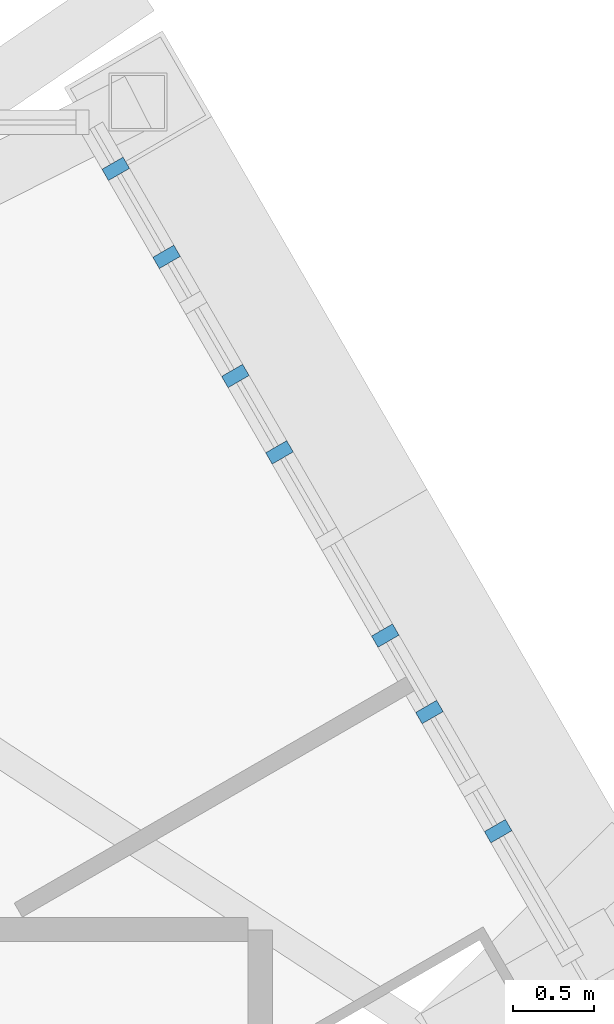
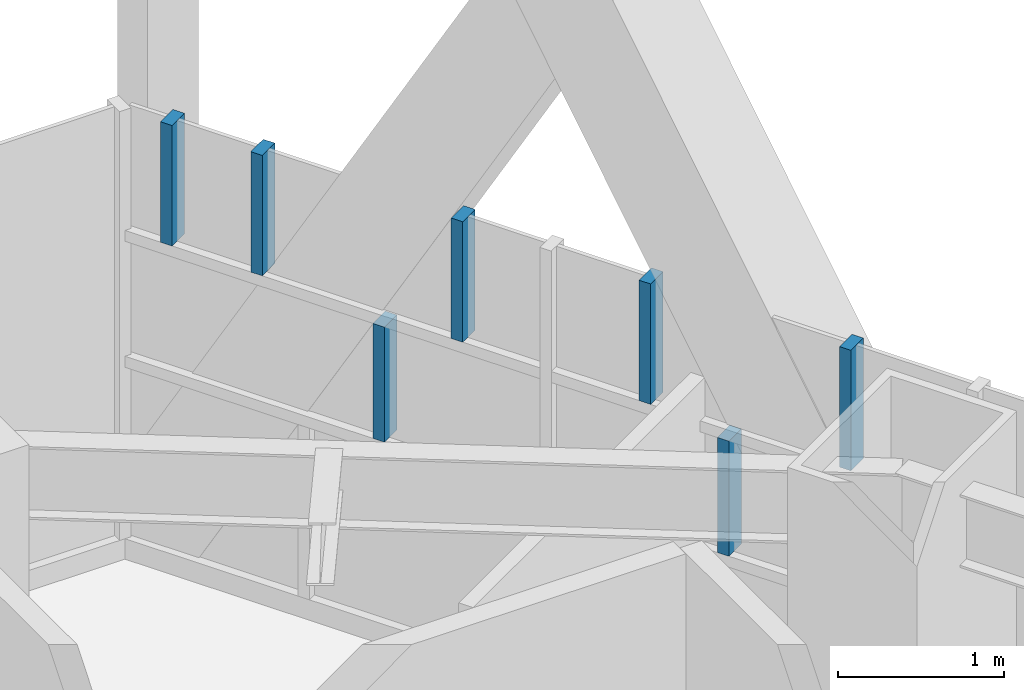
# One storey, part 11 of 23: 7 members, 1 element without a shape of its own.
"""IFC4 building model written with IfcOpenShell, lengths in metres."""

from ifc_helpers import new_model, si_unit, direction, frame, origin, origin_2d, place, context, subcontext, project, spatial, rectangle, extrude, material, layer, layer_set, material_profile, profile_set, type_object, element, aggregate, save


model = new_model("IFC4")

# Units and contexts
model_context = context("Model", 3, precision=1e-05, world=origin(), true_north=direction((0.0, 1.0)))
body_context = subcontext(model_context, "Body", "Model", "MODEL_VIEW")
ifc_project = project(units=[si_unit("LENGTHUNIT", "METRE"), si_unit("AREAUNIT", "SQUARE_METRE"), si_unit("VOLUMEUNIT", "CUBIC_METRE"), si_unit("PLANEANGLEUNIT", "RADIAN"), si_unit("MASSUNIT", "GRAM", prefix="KILO")], contexts=[model_context])

# Site, building, storey
site_placement = place(None, origin())
site = spatial("IfcSite", under=ifc_project, at=site_placement, CompositionType="ELEMENT")
building_placement = place(site_placement, origin())
building = spatial("IfcBuilding", under=site, at=building_placement, Name="Firuza Gate Tower and Library", CompositionType="ELEMENT")
storey_placement = place(building_placement, frame((0.0, 0.0, 312.60009765625)))
storey = spatial("IfcBuildingStorey", under=building, at=storey_placement, Name="L76", CompositionType="ELEMENT", Elevation=312.60009765625)

# Curtain wall, members
ifc_material_1 = material(Name="Aluminium 6063-T6", Category="aluminium")
ifc_layer = layer(ifc_material_1, 0.14990234375)
ifc_layer_set = layer_set([ifc_layer], Name="Unitised curtain wall, residences")
curtain_wall_type = type_object("IfcCurtainWallType", Name="Unitised curtain wall, residences", PredefinedType="NOTDEFINED", material=ifc_layer_set)
curtain_wall_placement = place(storey_placement, origin())
curtain_wall = element("IfcCurtainWall", 1, at=curtain_wall_placement, inside=storey, type_object=curtain_wall_type, Name="CW3 L76 E face", PredefinedType="NOTDEFINED")
ifc_material_2 = material(Name="Aluminium 6063-T6", Category="aluminium")
ifc_material_profile = material_profile(ifc_material_2, rectangle(XDim=0.14990234375, YDim=0.080078125, at=origin_2d()))
ifc_profile_set = profile_set([ifc_material_profile], Name="Aluminium 6063-T6")
member_type = type_object("IfcMemberType", Name="Curtain wall mullion 80x150", PredefinedType="MULLION", material=ifc_profile_set)
member_1_placement = place(storey_placement, frame((80.743408203125, 97.441650390625, 1.489990234375), z_axis=(0.0, 0.0, 1.0), x_axis=(-0.866025403784, -0.5, 0.0)))
member_1 = element("IfcMember", 2, at=member_1_placement, type_object=member_type, Name="Mullion", PredefinedType="MULLION", context=body_context, shape_type="SweptSolid", body=[
    extrude(rectangle(XDim=0.14990234375, YDim=0.080078125, at=origin_2d()), origin(), (0.0, 0.0, 1.0), 0.844970703125),
])
member_2_placement = place(storey_placement, frame((81.16748046875, 96.706787109375, 2.414794921875), z_axis=(0.0, 0.0, 1.0), x_axis=(-0.866025403784, -0.5, 0.0)))
member_2 = element("IfcMember", 3, at=member_2_placement, type_object=member_type, Name="Mullion", PredefinedType="MULLION", context=body_context, shape_type="SweptSolid", body=[
    extrude(rectangle(XDim=0.14990234375, YDim=0.080078125, at=origin_2d()), origin(), (0.0, 0.0, 1.0), 0.885009765625),
])
member_3_placement = place(storey_placement, frame((80.47119140625, 97.912841796875, 2.414794921875), z_axis=(0.0, 0.0, 1.0), x_axis=(-0.866025403784, -0.5, 0.0)))
member_3 = element("IfcMember", 4, at=member_3_placement, type_object=member_type, Name="Mullion", PredefinedType="MULLION", context=body_context, shape_type="SweptSolid", body=[
    extrude(rectangle(XDim=0.14990234375, YDim=0.080078125, at=origin_2d()), origin(), (0.0, 0.0, 1.0), 0.885009765625),
])
member_4_placement = place(storey_placement, frame((79.546630859375, 99.514404296875, 1.489990234375), z_axis=(0.0, 0.0, 1.0), x_axis=(-0.866025403784, -0.5, 0.0)))
member_4 = element("IfcMember", 5, at=member_4_placement, type_object=member_type, Name="Mullion", PredefinedType="MULLION", context=body_context, shape_type="SweptSolid", body=[
    extrude(rectangle(XDim=0.14990234375, YDim=0.080078125, at=origin_2d()), origin(), (0.0, 0.0, 1.0), 0.844970703125),
])
member_5_placement = place(storey_placement, frame((79.818603515625, 99.043212890625, 2.414794921875), z_axis=(0.0, 0.0, 1.0), x_axis=(-0.866025403784, -0.5, 0.0)))
member_5 = element("IfcMember", 6, at=member_5_placement, type_object=member_type, Name="Mullion", PredefinedType="MULLION", context=body_context, shape_type="SweptSolid", body=[
    extrude(rectangle(XDim=0.14990234375, YDim=0.080078125, at=origin_2d()), origin(), (0.0, 0.0, 1.0), 0.885009765625),
])
member_6_placement = place(storey_placement, frame((79.122314453125, 100.2490234375, 2.414794921875), z_axis=(0.0, 0.0, 1.0), x_axis=(-0.866025403784, -0.5, 0.0)))
member_6 = element("IfcMember", 7, at=member_6_placement, type_object=member_type, Name="Mullion", PredefinedType="MULLION", context=body_context, shape_type="SweptSolid", body=[
    extrude(rectangle(XDim=0.14990234375, YDim=0.080078125, at=origin_2d()), origin(), (0.0, 0.0, 1.0), 0.885009765625),
])
member_7_placement = place(storey_placement, frame((78.808837890625, 100.7919921875, 2.414794921875), z_axis=(0.0, 0.0, 1.0), x_axis=(-0.866025403784, -0.5, 0.0)))
member_7 = element("IfcMember", 8, at=member_7_placement, type_object=member_type, Name="Mullion", PredefinedType="MULLION", context=body_context, shape_type="SweptSolid", body=[
    extrude(rectangle(XDim=0.14990234375, YDim=0.080078125, at=origin_2d()), origin(), (0.0, 0.0, 1.0), 0.885009765625),
])
aggregate(curtain_wall, [member_1, member_2, member_3, member_4, member_5, member_6, member_7])

save(model, "model.ifc")
